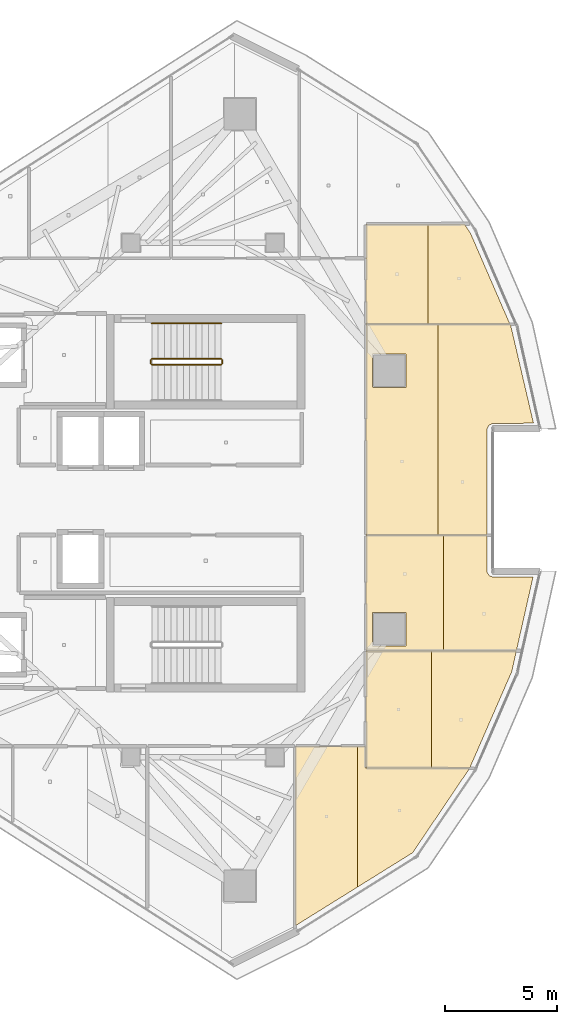
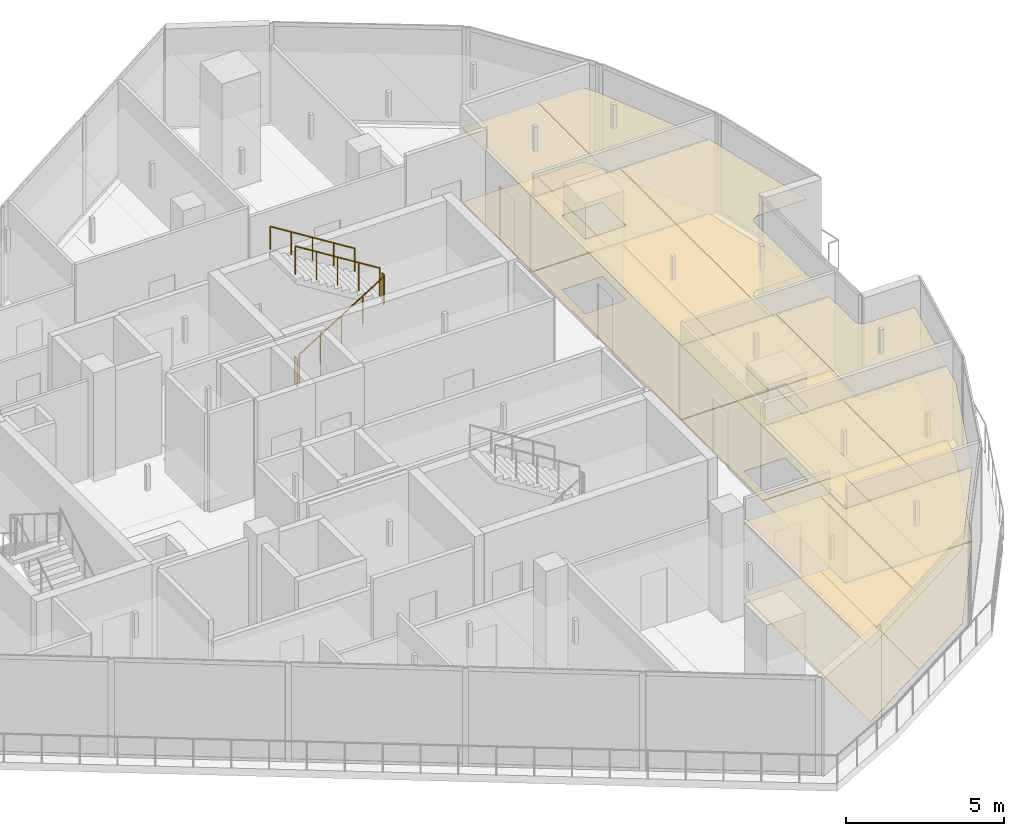
# One storey, part 25 of 26: 20 coverings, 5 railings.
"""IFC4 building model written with IfcOpenShell, lengths in metres."""

from ifc_helpers import new_model, si_unit, direction, frame, origin, origin_2d, place, context, subcontext, project, spatial, polyline, circle, outline, extrude, material, layer, layer_set, type_object, element, save


model = new_model("IFC4")

# Units and contexts
model_context = context("Model", 3, precision=1e-05, world=origin(), true_north=direction((0.0, 1.0)))
body_context = subcontext(model_context, "Body", "Model", "MODEL_VIEW")
ifc_project = project(units=[si_unit("LENGTHUNIT", "METRE"), si_unit("AREAUNIT", "SQUARE_METRE"), si_unit("VOLUMEUNIT", "CUBIC_METRE"), si_unit("PLANEANGLEUNIT", "RADIAN"), si_unit("MASSUNIT", "GRAM", prefix="KILO")], contexts=[model_context])

# Site, building, storey
site_placement = place(None, origin())
site = spatial("IfcSite", under=ifc_project, at=site_placement, CompositionType="ELEMENT")
building_placement = place(site_placement, origin())
building = spatial("IfcBuilding", under=site, at=building_placement, Name="Qorvath Tower", CompositionType="ELEMENT")
storey_placement = place(building_placement, frame((0.0, 0.0, 322.800048828125)))
storey = spatial("IfcBuildingStorey", under=building, at=storey_placement, Name="L75", CompositionType="ELEMENT", Elevation=322.800048828125)

# Coverings
ifc_material_1 = material(Name="Acoustic mineral fibre ceiling tile", Category="gypsum")
ifc_layer_1 = layer(ifc_material_1, 0.030029296875)
ifc_layer_set_1 = layer_set([ifc_layer_1], Name="COV-CEIL")
covering_type_1 = type_object("IfcCoveringType", Name="COV-CEIL", PredefinedType="CEILING", material=ifc_layer_set_1)
covering_1_placement = place(storey_placement, frame((0.0, 0.0, 2.849853515625)))
element("IfcCovering", 1, at=covering_1_placement, inside=storey, type_object=covering_type_1, Name="L75 Suspended Acoustic Ceiling 024", PredefinedType="CEILING", context=body_context, shape_type="SweptSolid", body=[
    extrude(outline(polyline([(-13.508544921875, -17.226318359375), (-13.508544921875, -10.962890625), (-16.28369140625, -10.962890625), (-16.284423828125, -18.95458984375), (-13.508544921875, -17.226318359375)])), origin(), (0.0, 0.0, 1.0), 0.030029296875),
])
covering_2_placement = place(storey_placement, frame((0.0, 0.0, 2.849853515625)))
element("IfcCovering", 2, at=covering_2_placement, inside=storey, type_object=covering_type_1, Name="L75 Suspended Acoustic Ceiling 025", PredefinedType="CEILING", context=body_context, shape_type="SweptSolid", body=[
    extrude(outline(polyline([(-13.155029296875, -10.962890625), (-13.508544921875, -10.962890625), (-13.508544921875, -17.226318359375), (-11.060546875, -15.701904296875), (-8.525390625, -11.944091796875), (-13.14990234375, -11.938232421875), (-13.155029296875, -10.962890625)])), origin(), (0.0, 0.0, 1.0), 0.030029296875),
])
covering_3_placement = place(storey_placement, frame((0.0, 0.0, 2.849853515625)))
element("IfcCovering", 3, at=covering_3_placement, inside=storey, type_object=covering_type_1, Name="L75 Suspended Acoustic Ceiling 026", PredefinedType="CEILING", context=body_context, shape_type="SweptSolid", body=[
    extrude(outline(polyline([(-13.136962890625, -11.920166015625), (-10.23388671875, -11.923828125), (-10.23388671875, -6.7197265625), (-13.136962890625, -6.7197265625), (-13.136962890625, -11.920166015625)])), origin(), (0.0, 0.0, 1.0), 0.030029296875),
])
covering_4_placement = place(storey_placement, frame((0.0, 0.0, 2.849853515625)))
element("IfcCovering", 4, at=covering_4_placement, inside=storey, type_object=covering_type_1, Name="L75 Suspended Acoustic Ceiling 027", PredefinedType="CEILING", context=body_context, shape_type="SweptSolid", body=[
    extrude(outline(polyline([(-10.23388671875, -6.7197265625), (-10.23388671875, -11.923828125), (-8.518310546875, -11.926025390625), (-6.653076171875, -7.647216796875), (-6.444091796875, -6.7197265625), (-10.23388671875, -6.7197265625)])), origin(), (0.0, 0.0, 1.0), 0.030029296875),
])
covering_5_placement = place(storey_placement, frame((0.0, 0.0, 2.849853515625)))
element("IfcCovering", 5, at=covering_5_placement, inside=storey, type_object=covering_type_1, Name="L75 Suspended Acoustic Ceiling 028", PredefinedType="CEILING", context=body_context, shape_type="SweptSolid", body=[
    extrude(outline(polyline([(-9.693603515625, -6.70166015625), (-9.693603515625, -1.572998046875), (-13.136962890625, -1.572998046875), (-13.136962890625, -6.70166015625), (-9.693603515625, -6.70166015625)]), holes=[polyline([(-12.839111328125, -6.500244140625), (-12.839111328125, -5.015380859375), (-11.3544921875, -5.015380859375), (-11.3544921875, -6.500244140625), (-12.839111328125, -6.500244140625)])]), origin(), (0.0, 0.0, 1.0), 0.030029296875),
])
covering_6_placement = place(storey_placement, frame((0.0, 0.0, 2.849853515625)))
element("IfcCovering", 6, at=covering_6_placement, inside=storey, type_object=covering_type_1, Name="L75 Suspended Acoustic Ceiling 029", PredefinedType="CEILING", context=body_context, shape_type="SweptSolid", body=[
    extrude(outline(polyline([(-7.65966796875, -3.36572265625), (-7.7470703125, -3.218505859375), (-7.751708984375, -1.572998046875), (-9.693603515625, -1.572998046875), (-9.693603515625, -6.70166015625), (-6.440185546875, -6.70166015625), (-5.702392578125, -3.4248046875), (-7.521240234375, -3.423583984375), (-7.65966796875, -3.36572265625)])), origin(), (0.0, 0.0, 1.0), 0.030029296875),
])
covering_7_placement = place(storey_placement, frame((0.0, 0.0, 2.849853515625)))
element("IfcCovering", 7, at=covering_7_placement, inside=storey, type_object=covering_type_1, Name="L75 Suspended Acoustic Ceiling 030", PredefinedType="CEILING", context=body_context, shape_type="SweptSolid", body=[
    extrude(outline(polyline([(-9.94091796875, -1.55517578125), (-9.94091796875, 7.820556640625), (-13.136962890625, 7.82275390625), (-13.136962890625, -1.55517578125), (-9.94091796875, -1.55517578125)]), holes=[polyline([(-12.796875, 4.997802734375), (-12.856689453125, 5.057861328125), (-12.839111328125, 6.500244140625), (-11.3544921875, 6.500244140625), (-11.3544921875, 5.015380859375), (-12.796875, 4.997802734375)])]), origin(), (0.0, 0.0, 1.0), 0.030029296875),
])
covering_8_placement = place(storey_placement, frame((0.0, 0.0, 2.849853515625)))
element("IfcCovering", 8, at=covering_8_placement, inside=storey, type_object=covering_type_1, Name="L75 Suspended Acoustic Ceiling 031", PredefinedType="CEILING", context=body_context, shape_type="SweptSolid", body=[
    extrude(outline(polyline([(-7.751708984375, -1.55517578125), (-7.751220703125, 3.172119140625), (-7.67724609375, 3.31982421875), (-7.519287109375, 3.403564453125), (-5.6826171875, 3.421142578125), (-6.707763671875, 7.818359375), (-9.94091796875, 7.820556640625), (-9.94091796875, -1.55517578125), (-7.751708984375, -1.55517578125)])), origin(), (0.0, 0.0, 1.0), 0.030029296875),
])
covering_9_placement = place(storey_placement, frame((0.0, 0.0, 2.849853515625)))
element("IfcCovering", 9, at=covering_9_placement, inside=storey, type_object=covering_type_1, Name="L75 Suspended Acoustic Ceiling 032", PredefinedType="CEILING", context=body_context, shape_type="SweptSolid", body=[
    extrude(outline(polyline([(-13.136962890625, 12.2568359375), (-13.136962890625, 7.8408203125), (-10.3876953125, 7.8388671875), (-10.3876953125, 12.269287109375), (-13.136962890625, 12.2568359375)])), origin(), (0.0, 0.0, 1.0), 0.030029296875),
])
covering_10_placement = place(storey_placement, frame((0.0, 0.0, 2.849853515625)))
element("IfcCovering", 10, at=covering_10_placement, inside=storey, type_object=covering_type_1, Name="L75 Suspended Acoustic Ceiling 033", PredefinedType="CEILING", context=body_context, shape_type="SweptSolid", body=[
    extrude(outline(polyline([(-10.3876953125, 12.269287109375), (-10.3876953125, 7.8388671875), (-6.735107421875, 7.83642578125), (-8.4921875, 11.888427734375), (-8.756103515625, 12.27685546875), (-10.3876953125, 12.269287109375)])), origin(), (0.0, 0.0, 1.0), 0.030029296875),
])
ifc_material_2 = material(Name="Low-VOC modular carpet tile", Category="textile")
ifc_layer_2 = layer(ifc_material_2, 0.014892578125)
ifc_layer_set_2 = layer_set([ifc_layer_2], Name="COV-FLOOR-CPT")
covering_type_2 = type_object("IfcCoveringType", Name="COV-FLOOR-CPT", PredefinedType="FLOORING", material=ifc_layer_set_2)
covering_11_placement = place(storey_placement, origin())
element("IfcCovering", 11, at=covering_11_placement, inside=storey, type_object=covering_type_2, Name="L75 Floor Finish 024", PredefinedType="FLOORING", context=body_context, shape_type="SweptSolid", body=[
    extrude(outline(polyline([(-13.508544921875, -17.226318359375), (-13.508544921875, -10.962890625), (-16.28369140625, -10.962890625), (-16.284423828125, -18.95458984375), (-13.508544921875, -17.226318359375)])), origin(), (0.0, 0.0, 1.0), 0.014892578125),
])
covering_12_placement = place(storey_placement, origin())
element("IfcCovering", 12, at=covering_12_placement, inside=storey, type_object=covering_type_2, Name="L75 Floor Finish 025", PredefinedType="FLOORING", context=body_context, shape_type="SweptSolid", body=[
    extrude(outline(polyline([(-13.155029296875, -10.962890625), (-13.508544921875, -10.962890625), (-13.508544921875, -17.226318359375), (-11.060546875, -15.701904296875), (-8.525390625, -11.944091796875), (-13.14990234375, -11.938232421875), (-13.155029296875, -10.962890625)])), origin(), (0.0, 0.0, 1.0), 0.014892578125),
])
covering_13_placement = place(storey_placement, origin())
element("IfcCovering", 13, at=covering_13_placement, inside=storey, type_object=covering_type_2, Name="L75 Floor Finish 026", PredefinedType="FLOORING", context=body_context, shape_type="SweptSolid", body=[
    extrude(outline(polyline([(-13.136962890625, -11.920166015625), (-10.23388671875, -11.923828125), (-10.23388671875, -6.7197265625), (-13.136962890625, -6.7197265625), (-13.136962890625, -11.920166015625)])), origin(), (0.0, 0.0, 1.0), 0.014892578125),
])
covering_14_placement = place(storey_placement, origin())
element("IfcCovering", 14, at=covering_14_placement, inside=storey, type_object=covering_type_2, Name="L75 Floor Finish 027", PredefinedType="FLOORING", context=body_context, shape_type="SweptSolid", body=[
    extrude(outline(polyline([(-10.23388671875, -6.7197265625), (-10.23388671875, -11.923828125), (-8.518310546875, -11.926025390625), (-6.653076171875, -7.647216796875), (-6.444091796875, -6.7197265625), (-10.23388671875, -6.7197265625)])), origin(), (0.0, 0.0, 1.0), 0.014892578125),
])
covering_15_placement = place(storey_placement, origin())
element("IfcCovering", 15, at=covering_15_placement, inside=storey, type_object=covering_type_2, Name="L75 Floor Finish 028", PredefinedType="FLOORING", context=body_context, shape_type="SweptSolid", body=[
    extrude(outline(polyline([(-9.693603515625, -6.70166015625), (-9.693603515625, -1.572998046875), (-13.136962890625, -1.572998046875), (-13.136962890625, -6.70166015625), (-9.693603515625, -6.70166015625)]), holes=[polyline([(-12.839111328125, -6.500244140625), (-12.839111328125, -5.015380859375), (-11.3544921875, -5.015380859375), (-11.3544921875, -6.500244140625), (-12.839111328125, -6.500244140625)])]), origin(), (0.0, 0.0, 1.0), 0.014892578125),
])
covering_16_placement = place(storey_placement, origin())
element("IfcCovering", 16, at=covering_16_placement, inside=storey, type_object=covering_type_2, Name="L75 Floor Finish 029", PredefinedType="FLOORING", context=body_context, shape_type="SweptSolid", body=[
    extrude(outline(polyline([(-7.65966796875, -3.36572265625), (-7.7470703125, -3.218505859375), (-7.751708984375, -1.572998046875), (-9.693603515625, -1.572998046875), (-9.693603515625, -6.70166015625), (-6.440185546875, -6.70166015625), (-5.702392578125, -3.4248046875), (-7.521240234375, -3.423583984375), (-7.65966796875, -3.36572265625)])), origin(), (0.0, 0.0, 1.0), 0.014892578125),
])
covering_17_placement = place(storey_placement, origin())
element("IfcCovering", 17, at=covering_17_placement, inside=storey, type_object=covering_type_2, Name="L75 Floor Finish 030", PredefinedType="FLOORING", context=body_context, shape_type="SweptSolid", body=[
    extrude(outline(polyline([(-9.94091796875, -1.55517578125), (-9.94091796875, 7.820556640625), (-13.136962890625, 7.82275390625), (-13.136962890625, -1.55517578125), (-9.94091796875, -1.55517578125)]), holes=[polyline([(-12.796875, 4.997802734375), (-12.856689453125, 5.057861328125), (-12.839111328125, 6.500244140625), (-11.3544921875, 6.500244140625), (-11.3544921875, 5.015380859375), (-12.796875, 4.997802734375)])]), origin(), (0.0, 0.0, 1.0), 0.014892578125),
])
covering_18_placement = place(storey_placement, origin())
element("IfcCovering", 18, at=covering_18_placement, inside=storey, type_object=covering_type_2, Name="L75 Floor Finish 031", PredefinedType="FLOORING", context=body_context, shape_type="SweptSolid", body=[
    extrude(outline(polyline([(-7.751708984375, -1.55517578125), (-7.751220703125, 3.172119140625), (-7.67724609375, 3.31982421875), (-7.519287109375, 3.403564453125), (-5.6826171875, 3.421142578125), (-6.707763671875, 7.818359375), (-9.94091796875, 7.820556640625), (-9.94091796875, -1.55517578125), (-7.751708984375, -1.55517578125)])), origin(), (0.0, 0.0, 1.0), 0.014892578125),
])
covering_19_placement = place(storey_placement, origin())
element("IfcCovering", 19, at=covering_19_placement, inside=storey, type_object=covering_type_2, Name="L75 Floor Finish 032", PredefinedType="FLOORING", context=body_context, shape_type="SweptSolid", body=[
    extrude(outline(polyline([(-13.136962890625, 12.2568359375), (-13.136962890625, 7.8408203125), (-10.3876953125, 7.8388671875), (-10.3876953125, 12.269287109375), (-13.136962890625, 12.2568359375)])), origin(), (0.0, 0.0, 1.0), 0.014892578125),
])
covering_20_placement = place(storey_placement, origin())
element("IfcCovering", 20, at=covering_20_placement, inside=storey, type_object=covering_type_2, Name="L75 Floor Finish 033", PredefinedType="FLOORING", context=body_context, shape_type="SweptSolid", body=[
    extrude(outline(polyline([(-10.3876953125, 12.269287109375), (-10.3876953125, 7.8388671875), (-6.735107421875, 7.83642578125), (-8.4921875, 11.888427734375), (-8.756103515625, 12.27685546875), (-10.3876953125, 12.269287109375)])), origin(), (0.0, 0.0, 1.0), 0.014892578125),
])

# Railings
ifc_material_3 = material(Name="Painted galvanised steel", Category="steel")
railing_type_1 = type_object("IfcRailingType", Name="RL-STR-GRD", PredefinedType="GUARDRAIL", material=ifc_material_3)
railing_1_placement = place(storey_placement, frame((-22.669921875, 6.030029296875, 0.175048828125)))
element("IfcRailing", 21, at=railing_1_placement, inside=storey, type_object=railing_type_1, Name="L75 TS1 stair guard 1", PredefinedType="GUARDRAIL", context=body_context, shape_type="SweptSolid", body=[
    extrude(circle(Radius=0.02392578125, at=origin_2d()), frame((0.0, 0.0, 1.076171875), z_axis=(0.848009633417, 0.0, 0.529980812513), x_axis=(0.0, 1.0, 0.0)), (0.0, 0.0, 1.0), 3.6318359375),
    extrude(circle(Radius=0.02099609375, at=origin_2d()), origin(), (0.0, 0.0, 1.0), 1.052001953125),
    extrude(circle(Radius=0.02099609375, at=origin_2d()), frame((0.77001953125, 0.0, 0.481201171875)), (0.0, 0.0, 1.0), 1.052001953125),
    extrude(circle(Radius=0.02099609375, at=origin_2d()), frame((1.5400390625, 0.0, 0.96240234375)), (0.0, 0.0, 1.0), 1.052001953125),
    extrude(circle(Radius=0.02099609375, at=origin_2d()), frame((2.309814453125, 0.0, 1.443603515625)), (0.0, 0.0, 1.0), 1.052001953125),
    extrude(circle(Radius=0.02099609375, at=origin_2d()), frame((3.079833984375, 0.0, 1.9248046875)), (0.0, 0.0, 1.0), 1.052001953125),
])
railing_2_placement = place(storey_placement, frame((-19.5400390625, 6.080078125, 2.099853515625)))
element("IfcRailing", 22, at=railing_2_placement, inside=storey, type_object=railing_type_1, Name="L75 TS1 stair guard 2", PredefinedType="GUARDRAIL", context=body_context, shape_type="SweptSolid", body=[
    extrude(circle(Radius=0.02392578125, at=origin_2d()), frame((0.0, 0.0, 1.076171875), z_axis=(0.0, 1.0, 0.0), x_axis=(-1.0, 0.0, 0.0)), (0.0, 0.0, 1.0), 0.14990234375),
    extrude(circle(Radius=0.02099609375, at=origin_2d()), origin(), (0.0, 0.0, 1.0), 1.052001953125),
    extrude(circle(Radius=0.02099609375, at=origin_2d()), frame((0.0, 0.14990234375, 0.0)), (0.0, 0.0, 1.0), 1.052001953125),
])
railing_3_placement = place(storey_placement, frame((-19.590087890625, 6.280029296875, 2.27490234375)))
element("IfcRailing", 23, at=railing_3_placement, inside=storey, type_object=railing_type_1, Name="L75 TS1 stair guard 3", PredefinedType="GUARDRAIL", context=body_context, shape_type="SweptSolid", body=[
    extrude(circle(Radius=0.02392578125, at=origin_2d()), frame((0.0, 0.0, 1.076171875), z_axis=(-0.847979421464, 0.0, 0.530029150871), x_axis=(0.0, -1.0, 0.0)), (0.0, 0.0, 1.0), 3.632080078125),
    extrude(circle(Radius=0.02099609375, at=origin_2d()), origin(), (0.0, 0.0, 1.0), 1.052001953125),
    extrude(circle(Radius=0.02099609375, at=origin_2d()), frame((-0.77001953125, 0.0, 0.481201171875)), (0.0, 0.0, 1.0), 1.052001953125),
    extrude(circle(Radius=0.02099609375, at=origin_2d()), frame((-1.5400390625, 0.0, 0.96240234375)), (0.0, 0.0, 1.0), 1.052001953125),
    extrude(circle(Radius=0.02099609375, at=origin_2d()), frame((-2.309814453125, 0.0, 1.44384765625)), (0.0, 0.0, 1.0), 1.052001953125),
    extrude(circle(Radius=0.02099609375, at=origin_2d()), frame((-3.079833984375, 0.0, 1.925048828125)), (0.0, 0.0, 1.0), 1.052001953125),
])
railing_4_placement = place(storey_placement, frame((-22.719970703125, 6.080078125, 0.0)))
element("IfcRailing", 24, at=railing_4_placement, inside=storey, type_object=railing_type_1, Name="L75 TS1 stair guard 4", PredefinedType="GUARDRAIL", context=body_context, shape_type="SweptSolid", body=[
    extrude(circle(Radius=0.02392578125, at=origin_2d()), frame((0.0, 0.0, 1.076171875), z_axis=(0.0, 1.0, 0.0), x_axis=(-1.0, 0.0, 0.0)), (0.0, 0.0, 1.0), 0.14990234375),
    extrude(circle(Radius=0.02099609375, at=origin_2d()), origin(), (0.0, 0.0, 1.0), 1.052001953125),
    extrude(circle(Radius=0.02099609375, at=origin_2d()), frame((0.0, 0.14990234375, 0.0)), (0.0, 0.0, 1.0), 1.052001953125),
])
ifc_material_4 = material(Name="Brushed stainless steel AISI 304", Category="steel")
railing_type_2 = type_object("IfcRailingType", Name="RL-STR-HND", PredefinedType="HANDRAIL", material=ifc_material_4)
railing_5_placement = place(storey_placement, frame((-19.590087890625, 7.860107421875, 2.27490234375)))
element("IfcRailing", 25, at=railing_5_placement, inside=storey, type_object=railing_type_2, Name="L75 TS1 stair handrail 2", PredefinedType="HANDRAIL", context=body_context, shape_type="SweptSolid", body=[
    extrude(circle(Radius=0.02392578125, at=origin_2d()), frame((0.0, 0.0, 0.8759765625), z_axis=(-0.847979421464, 0.0, 0.530029150871), x_axis=(0.0, -1.0, 0.0)), (0.0, 0.0, 1.0), 3.632080078125),
    extrude(circle(Radius=0.02099609375, at=origin_2d()), origin(), (0.0, 0.0, 1.0), 0.851806640625),
    extrude(circle(Radius=0.02099609375, at=origin_2d()), frame((-0.77001953125, 0.0, 0.481201171875)), (0.0, 0.0, 1.0), 0.851806640625),
    extrude(circle(Radius=0.02099609375, at=origin_2d()), frame((-1.5400390625, 0.0, 0.96240234375)), (0.0, 0.0, 1.0), 0.851806640625),
    extrude(circle(Radius=0.02099609375, at=origin_2d()), frame((-2.309814453125, 0.0, 1.44384765625)), (0.0, 0.0, 1.0), 0.851806640625),
    extrude(circle(Radius=0.02099609375, at=origin_2d()), frame((-3.079833984375, 0.0, 1.925048828125)), (0.0, 0.0, 1.0), 0.851806640625),
])

save(model, "model.ifc")
